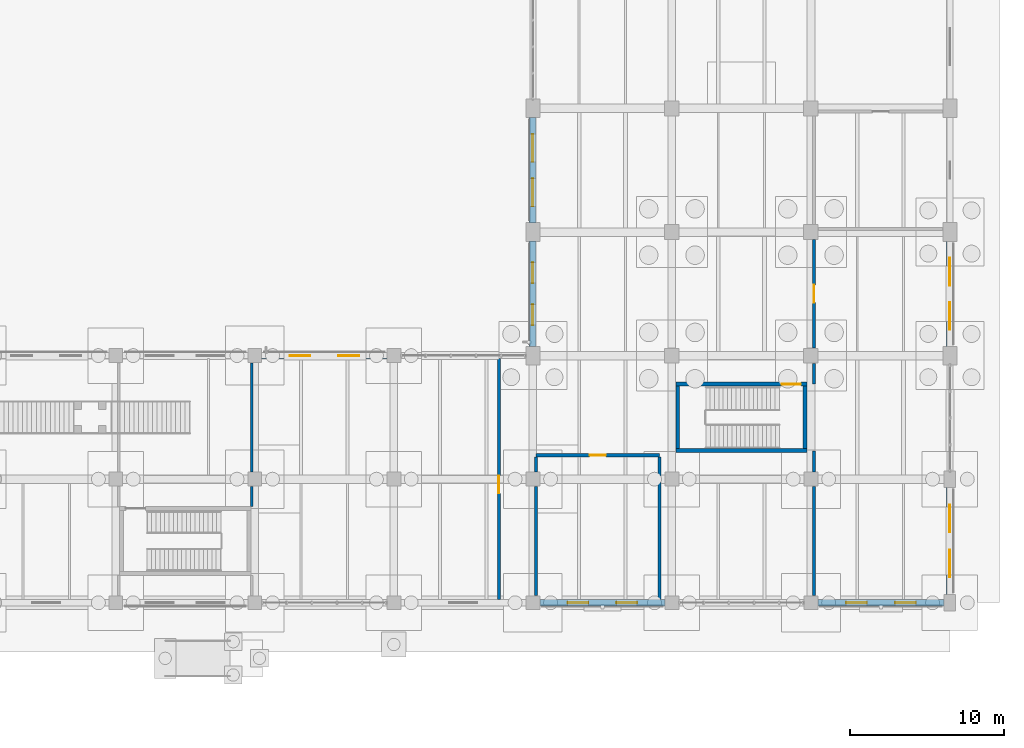
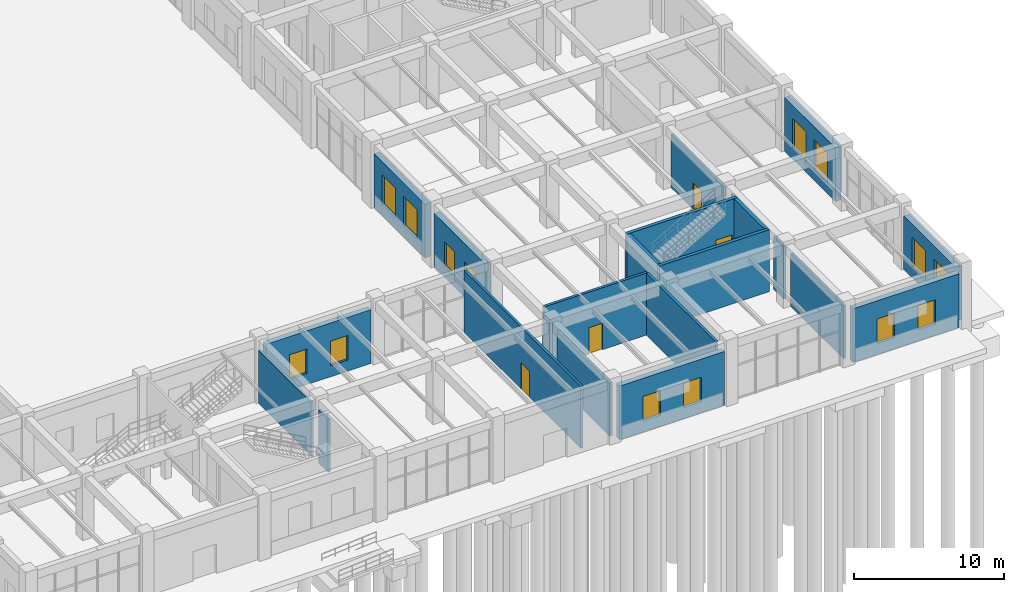
# One storey, part 97 of 121: 22 walls, 14 windows, 4 doors, 18 openings.
"""IFC4 building model written with IfcOpenShell, lengths in metres."""

from ifc_helpers import new_model, si_unit, derived_unit, direction, frame, frame_2d, origin, place, context, subcontext, project, spatial, rectangle, extrude, material, layer, layer_set, type_object, element, fill, save


model = new_model("IFC4")

# Units and contexts
model_context = context("Model", 3, precision=1e-05, world=origin(), true_north=direction((0.0, 1.0)))
body_context = subcontext(model_context, "Body", "Model", "MODEL_VIEW")
ifc_project = project(units=[si_unit("LENGTHUNIT", "METRE"), si_unit("AREAUNIT", "SQUARE_METRE"), si_unit("VOLUMEUNIT", "CUBIC_METRE"), si_unit("PLANEANGLEUNIT", "RADIAN"), si_unit("MASSUNIT", "GRAM", prefix="KILO"), derived_unit("THERMALTRANSMITTANCEUNIT", [(si_unit("MASSUNIT", "GRAM", prefix="KILO"), 1), (si_unit("TIMEUNIT", "SECOND"), -3), (si_unit("THERMODYNAMICTEMPERATUREUNIT", "KELVIN"), -1)])], contexts=[model_context])

# Site, building, storey
site_placement = place(None, origin())
site = spatial("IfcSite", under=ifc_project, at=site_placement, CompositionType="ELEMENT")
building_placement = place(site_placement, origin())
building = spatial("IfcBuilding", under=site, at=building_placement, Name="Zhenchuan Archway Interchange", CompositionType="ELEMENT")
storey_placement = place(building_placement, origin())
storey = spatial("IfcBuildingStorey", under=building, at=storey_placement, Name="L00", CompositionType="ELEMENT", Elevation=0.0)

# Wall, openings, windows
ifc_material_1 = material(Name="Granite Stone Cladding", Category="masonry")
ifc_layer_1 = layer(ifc_material_1, 0.419921875)
ifc_layer_set_1 = layer_set([ifc_layer_1], Name="Granite Stone Cladding")
wall_type_1 = type_object("IfcWallType", Name="EW_GRANITE_420", PredefinedType="STANDARD", material=ifc_layer_set_1)
wall_1_placement = place(storey_placement, frame((171.0, 31.402099609375, 0.0), z_axis=(0.0, 0.0, 1.0), x_axis=(0.0, -1.0, 0.0)))
wall_1 = element("IfcWall", 1, at=wall_1_placement, inside=storey, type_object=wall_type_1, Name="Exterior wall L00-074", PredefinedType="STANDARD", context=body_context, shape_type="SweptSolid", body=[
    extrude(rectangle(XDim=6.80419921875, YDim=0.419921875, at=frame_2d((3.402099609375, 0.0))), origin(), (0.0, 0.0, 1.0), 4.3798828125),
])
opening_1_placement = place(wall_1_placement, frame((1.068115234375, 0.0, 0.89990234375)))
opening_1 = element("IfcOpeningElement", 2, at=opening_1_placement, cuts=wall_1, Name="Opening W-03", PredefinedType="OPENING", context=body_context, shape_type="SweptSolid", body=[
    extrude(rectangle(XDim=1.800048828125, YDim=2.39990234375, at=frame_2d((0.89990234375, 1.199951171875))), frame((0.0, 0.221923828125, 0.0), z_axis=(0.0, -1.0, 0.0), x_axis=(1.0, 0.0, 0.0)), (0.0, 0.0, 1.0), 0.44384765625),
])
opening_2_placement = place(wall_1_placement, frame((3.93603515625, 0.0, 0.89990234375)))
opening_2 = element("IfcOpeningElement", 3, at=opening_2_placement, cuts=wall_1, Name="Opening W-03", PredefinedType="OPENING", context=body_context, shape_type="SweptSolid", body=[
    extrude(rectangle(XDim=1.800048828125, YDim=2.39990234375, at=frame_2d((0.89990234375, 1.199951171875))), frame((0.0, 0.221923828125, 0.0), z_axis=(0.0, -1.0, 0.0), x_axis=(1.0, 0.0, 0.0)), (0.0, 0.0, 1.0), 0.44384765625),
])
ifc_material_2 = material(Name="Double Low-E Insulated Glazing", Category="glass")
window_type_1 = type_object("IfcWindowType", Name="WN_PUNCH_1800x2400", PartitioningType="SINGLE_PANEL", PredefinedType="WINDOW", material=ifc_material_2)
window_1_placement = place(opening_1_placement, origin())
window_1 = element("IfcWindow", 4, at=window_1_placement, inside=storey, type_object=window_type_1, Name="Window L00-0055", OverallHeight=2.39990234375, OverallWidth=1.800048828125, PartitioningType="SINGLE_PANEL", PredefinedType="WINDOW", context=body_context, shape_type="SweptSolid", body=[
    extrude(rectangle(XDim=1.800048828125, YDim=2.39990234375, at=frame_2d((0.89990234375, 1.199951171875))), frame((0.0, 0.030029296875, 0.0), z_axis=(0.0, -1.0, 0.0), x_axis=(1.0, 0.0, 0.0)), (0.0, 0.0, 1.0), 0.06005859375),
])
fill(opening_1, window_1)
window_2_placement = place(opening_2_placement, origin())
window_2 = element("IfcWindow", 5, at=window_2_placement, inside=storey, type_object=window_type_1, Name="Window L00-0056", OverallHeight=2.39990234375, OverallWidth=1.800048828125, PartitioningType="SINGLE_PANEL", PredefinedType="WINDOW", context=body_context, shape_type="SweptSolid", body=[
    extrude(rectangle(XDim=1.800048828125, YDim=2.39990234375, at=frame_2d((0.89990234375, 1.199951171875))), frame((0.0, 0.030029296875, 0.0), z_axis=(0.0, -1.0, 0.0), x_axis=(1.0, 0.0, 0.0)), (0.0, 0.0, 1.0), 0.06005859375),
])
fill(opening_2, window_2)

wall_2_placement = place(storey_placement, frame((171.0, 15.47705078125, 0.0), z_axis=(0.0, 0.0, 1.0), x_axis=(0.0, -1.0, 0.0)))
wall_2 = element("IfcWall", 6, at=wall_2_placement, inside=storey, type_object=wall_type_1, Name="Exterior wall L00-076", PredefinedType="STANDARD", context=body_context, shape_type="SweptSolid", body=[
    extrude(rectangle(XDim=6.9541015625, YDim=0.419921875, at=frame_2d((3.47705078125, 0.0))), origin(), (0.0, 0.0, 1.0), 4.3798828125),
])
opening_3_placement = place(wall_2_placement, frame((1.117919921875, 0.0, 0.89990234375)))
opening_3 = element("IfcOpeningElement", 7, at=opening_3_placement, cuts=wall_2, Name="Opening W-03", PredefinedType="OPENING", context=body_context, shape_type="SweptSolid", body=[
    extrude(rectangle(XDim=1.800048828125, YDim=2.39990234375, at=frame_2d((0.89990234375, 1.199951171875))), frame((0.0, 0.221923828125, 0.0), z_axis=(0.0, -1.0, 0.0), x_axis=(1.0, 0.0, 0.0)), (0.0, 0.0, 1.0), 0.44384765625),
])
opening_4_placement = place(wall_2_placement, frame((4.035888671875, 0.0, 0.89990234375)))
opening_4 = element("IfcOpeningElement", 8, at=opening_4_placement, cuts=wall_2, Name="Opening W-03", PredefinedType="OPENING", context=body_context, shape_type="SweptSolid", body=[
    extrude(rectangle(XDim=1.800048828125, YDim=2.39990234375, at=frame_2d((0.89990234375, 1.199951171875))), frame((0.0, 0.221923828125, 0.0), z_axis=(0.0, -1.0, 0.0), x_axis=(1.0, 0.0, 0.0)), (0.0, 0.0, 1.0), 0.44384765625),
])
window_3_placement = place(opening_3_placement, origin())
window_3 = element("IfcWindow", 9, at=window_3_placement, inside=storey, type_object=window_type_1, Name="Window L00-0057", OverallHeight=2.39990234375, OverallWidth=1.800048828125, PartitioningType="SINGLE_PANEL", PredefinedType="WINDOW", context=body_context, shape_type="SweptSolid", body=[
    extrude(rectangle(XDim=1.800048828125, YDim=2.39990234375, at=frame_2d((0.89990234375, 1.199951171875))), frame((0.0, 0.030029296875, 0.0), z_axis=(0.0, -1.0, 0.0), x_axis=(1.0, 0.0, 0.0)), (0.0, 0.0, 1.0), 0.06005859375),
])
fill(opening_3, window_3)
window_4_placement = place(opening_4_placement, origin())
window_4 = element("IfcWindow", 10, at=window_4_placement, inside=storey, type_object=window_type_1, Name="Window L00-0058", OverallHeight=2.39990234375, OverallWidth=1.800048828125, PartitioningType="SINGLE_PANEL", PredefinedType="WINDOW", context=body_context, shape_type="SweptSolid", body=[
    extrude(rectangle(XDim=1.800048828125, YDim=2.39990234375, at=frame_2d((0.89990234375, 1.199951171875))), frame((0.0, 0.030029296875, 0.0), z_axis=(0.0, -1.0, 0.0), x_axis=(1.0, 0.0, 0.0)), (0.0, 0.0, 1.0), 0.06005859375),
])
fill(opening_4, window_4)

wall_3_placement = place(storey_placement, frame((170.626953125, 8.0, 0.0), z_axis=(0.0, 0.0, 1.0), x_axis=(-1.0, 0.0, 0.0)))
wall_3 = element("IfcWall", 11, at=wall_3_placement, inside=storey, type_object=wall_type_1, Name="Exterior wall L00-077", PredefinedType="STANDARD", context=body_context, shape_type="SweptSolid", body=[
    extrude(rectangle(XDim=8.178955078125, YDim=0.419921875, at=frame_2d((4.08935546875, 0.0))), origin(), (0.0, 0.0, 1.0), 4.3798828125),
])
opening_5_placement = place(wall_3_placement, frame((1.826416015625, 0.0, 0.89990234375)))
opening_5 = element("IfcOpeningElement", 12, at=opening_5_placement, cuts=wall_3, Name="Opening W-06", PredefinedType="OPENING", context=body_context, shape_type="SweptSolid", body=[
    extrude(rectangle(XDim=1.35009765625, YDim=2.0, at=frame_2d((0.675048828125, 1.0))), frame((0.0, 0.221923828125, 0.0), z_axis=(0.0, -1.0, 0.0), x_axis=(1.0, 0.0, 0.0)), (0.0, 0.0, 1.0), 0.44384765625),
])
opening_6_placement = place(wall_3_placement, frame((5.002685546875, 0.0, 0.89990234375)))
opening_6 = element("IfcOpeningElement", 13, at=opening_6_placement, cuts=wall_3, Name="Opening W-06", PredefinedType="OPENING", context=body_context, shape_type="SweptSolid", body=[
    extrude(rectangle(XDim=1.35009765625, YDim=2.0, at=frame_2d((0.675048828125, 1.0))), frame((0.0, 0.221923828125, 0.0), z_axis=(0.0, -1.0, 0.0), x_axis=(1.0, 0.0, 0.0)), (0.0, 0.0, 1.0), 0.44384765625),
])
window_type_2 = type_object("IfcWindowType", Name="WN_MOD_1350x2000", PartitioningType="SINGLE_PANEL", PredefinedType="WINDOW", material=ifc_material_2)
window_5_placement = place(opening_5_placement, origin())
window_5 = element("IfcWindow", 14, at=window_5_placement, inside=storey, type_object=window_type_2, Name="Window L00-0059", OverallHeight=2.0, OverallWidth=1.35009765625, PartitioningType="SINGLE_PANEL", PredefinedType="WINDOW", context=body_context, shape_type="SweptSolid", body=[
    extrude(rectangle(XDim=1.35009765625, YDim=2.0, at=frame_2d((0.675048828125, 1.0))), frame((0.0, 0.030029296875, 0.0), z_axis=(0.0, -1.0, 0.0), x_axis=(1.0, 0.0, 0.0)), (0.0, 0.0, 1.0), 0.06005859375),
])
fill(opening_5, window_5)
window_6_placement = place(opening_6_placement, origin())
window_6 = element("IfcWindow", 15, at=window_6_placement, inside=storey, type_object=window_type_2, Name="Window L00-0060", OverallHeight=2.0, OverallWidth=1.35009765625, PartitioningType="SINGLE_PANEL", PredefinedType="WINDOW", context=body_context, shape_type="SweptSolid", body=[
    extrude(rectangle(XDim=1.35009765625, YDim=2.0, at=frame_2d((0.675048828125, 1.0))), frame((0.0, 0.030029296875, 0.0), z_axis=(0.0, -1.0, 0.0), x_axis=(1.0, 0.0, 0.0)), (0.0, 0.0, 1.0), 0.06005859375),
])
fill(opening_6, window_6)

wall_4_placement = place(storey_placement, frame((152.552001953125, 8.0, 0.0), z_axis=(0.0, 0.0, 1.0), x_axis=(-1.0, 0.0, 0.0)))
wall_4 = element("IfcWall", 16, at=wall_4_placement, inside=storey, type_object=wall_type_1, Name="Exterior wall L00-079", PredefinedType="STANDARD", context=body_context, shape_type="SweptSolid", body=[
    extrude(rectangle(XDim=8.10400390625, YDim=0.419921875, at=frame_2d((4.052001953125, 0.0))), origin(), (0.0, 0.0, 1.0), 4.3798828125),
])
opening_7_placement = place(wall_4_placement, frame((1.80126953125, 0.0, 0.89990234375)))
opening_7 = element("IfcOpeningElement", 17, at=opening_7_placement, cuts=wall_4, Name="Opening W-06", PredefinedType="OPENING", context=body_context, shape_type="SweptSolid", body=[
    extrude(rectangle(XDim=1.35009765625, YDim=2.0, at=frame_2d((0.675048828125, 1.0))), frame((0.0, 0.221923828125, 0.0), z_axis=(0.0, -1.0, 0.0), x_axis=(1.0, 0.0, 0.0)), (0.0, 0.0, 1.0), 0.44384765625),
])
opening_8_placement = place(wall_4_placement, frame((4.95263671875, 0.0, 0.89990234375)))
opening_8 = element("IfcOpeningElement", 18, at=opening_8_placement, cuts=wall_4, Name="Opening W-06", PredefinedType="OPENING", context=body_context, shape_type="SweptSolid", body=[
    extrude(rectangle(XDim=1.35009765625, YDim=2.0, at=frame_2d((0.675048828125, 1.0))), frame((0.0, 0.221923828125, 0.0), z_axis=(0.0, -1.0, 0.0), x_axis=(1.0, 0.0, 0.0)), (0.0, 0.0, 1.0), 0.44384765625),
])
window_7_placement = place(opening_7_placement, origin())
window_7 = element("IfcWindow", 19, at=window_7_placement, inside=storey, type_object=window_type_2, Name="Window L00-0061", OverallHeight=2.0, OverallWidth=1.35009765625, PartitioningType="SINGLE_PANEL", PredefinedType="WINDOW", context=body_context, shape_type="SweptSolid", body=[
    extrude(rectangle(XDim=1.35009765625, YDim=2.0, at=frame_2d((0.675048828125, 1.0))), frame((0.0, 0.030029296875, 0.0), z_axis=(0.0, -1.0, 0.0), x_axis=(1.0, 0.0, 0.0)), (0.0, 0.0, 1.0), 0.06005859375),
])
fill(opening_7, window_7)
window_8_placement = place(opening_8_placement, origin())
window_8 = element("IfcWindow", 20, at=window_8_placement, inside=storey, type_object=window_type_2, Name="Window L00-0062", OverallHeight=2.0, OverallWidth=1.35009765625, PartitioningType="SINGLE_PANEL", PredefinedType="WINDOW", context=body_context, shape_type="SweptSolid", body=[
    extrude(rectangle(XDim=1.35009765625, YDim=2.0, at=frame_2d((0.675048828125, 1.0))), frame((0.0, 0.030029296875, 0.0), z_axis=(0.0, -1.0, 0.0), x_axis=(1.0, 0.0, 0.0)), (0.0, 0.0, 1.0), 0.06005859375),
])
fill(opening_8, window_8)

wall_5_placement = place(storey_placement, frame((126.447998046875, 24.0, 0.0), z_axis=(0.0, 0.0, 1.0), x_axis=(1.0, 0.0, 0.0)))
wall_5 = element("IfcWall", 21, at=wall_5_placement, inside=storey, type_object=wall_type_1, Name="Exterior wall L00-101", PredefinedType="STANDARD", context=body_context, shape_type="SweptSolid", body=[
    extrude(rectangle(XDim=8.10400390625, YDim=0.419921875, at=frame_2d((4.052001953125, 0.0))), origin(), (0.0, 0.0, 1.0), 4.3798828125),
])
opening_9_placement = place(wall_5_placement, frame((1.80126953125, 0.0, 0.89990234375)))
opening_9 = element("IfcOpeningElement", 22, at=opening_9_placement, cuts=wall_5, Name="Opening W-06", PredefinedType="OPENING", context=body_context, shape_type="SweptSolid", body=[
    extrude(rectangle(XDim=1.35009765625, YDim=2.0, at=frame_2d((0.675048828125, 1.0))), frame((0.0, 0.221923828125, 0.0), z_axis=(0.0, -1.0, 0.0), x_axis=(1.0, 0.0, 0.0)), (0.0, 0.0, 1.0), 0.44384765625),
])
opening_10_placement = place(wall_5_placement, frame((4.95263671875, 0.0, 0.89990234375)))
opening_10 = element("IfcOpeningElement", 23, at=opening_10_placement, cuts=wall_5, Name="Opening W-06", PredefinedType="OPENING", context=body_context, shape_type="SweptSolid", body=[
    extrude(rectangle(XDim=1.35009765625, YDim=2.0, at=frame_2d((0.675048828125, 1.0))), frame((0.0, 0.221923828125, 0.0), z_axis=(0.0, -1.0, 0.0), x_axis=(1.0, 0.0, 0.0)), (0.0, 0.0, 1.0), 0.44384765625),
])
window_9_placement = place(opening_9_placement, origin())
window_9 = element("IfcWindow", 24, at=window_9_placement, inside=storey, type_object=window_type_2, Name="Window L00-0078", OverallHeight=2.0, OverallWidth=1.35009765625, PartitioningType="SINGLE_PANEL", PredefinedType="WINDOW", context=body_context, shape_type="SweptSolid", body=[
    extrude(rectangle(XDim=1.35009765625, YDim=2.0, at=frame_2d((0.675048828125, 1.0))), frame((0.0, 0.030029296875, 0.0), z_axis=(0.0, -1.0, 0.0), x_axis=(1.0, 0.0, 0.0)), (0.0, 0.0, 1.0), 0.06005859375),
])
fill(opening_9, window_9)
window_10_placement = place(opening_10_placement, origin())
window_10 = element("IfcWindow", 25, at=window_10_placement, inside=storey, type_object=window_type_2, Name="Window L00-0079", OverallHeight=2.0, OverallWidth=1.35009765625, PartitioningType="SINGLE_PANEL", PredefinedType="WINDOW", context=body_context, shape_type="SweptSolid", body=[
    extrude(rectangle(XDim=1.35009765625, YDim=2.0, at=frame_2d((0.675048828125, 1.0))), frame((0.0, 0.030029296875, 0.0), z_axis=(0.0, -1.0, 0.0), x_axis=(1.0, 0.0, 0.0)), (0.0, 0.0, 1.0), 0.06005859375),
])
fill(opening_10, window_10)

wall_6_placement = place(storey_placement, frame((144.0, 24.597900390625, 0.0), z_axis=(0.0, 0.0, 1.0), x_axis=(0.0, 1.0, 0.0)))
wall_6 = element("IfcWall", 26, at=wall_6_placement, inside=storey, type_object=wall_type_1, Name="Exterior wall L00-103", PredefinedType="STANDARD", context=body_context, shape_type="SweptSolid", body=[
    extrude(rectangle(XDim=6.80419921875, YDim=0.419921875, at=frame_2d((3.402099609375, 0.0))), origin(), (0.0, 0.0, 1.0), 4.3798828125),
])
opening_11_placement = place(wall_6_placement, frame((1.367919921875, 0.0, 0.89990234375)))
opening_11 = element("IfcOpeningElement", 27, at=opening_11_placement, cuts=wall_6, Name="Opening W-06", PredefinedType="OPENING", context=body_context, shape_type="SweptSolid", body=[
    extrude(rectangle(XDim=1.35009765625, YDim=2.0, at=frame_2d((0.675048828125, 1.0))), frame((0.0, 0.221923828125, 0.0), z_axis=(0.0, -1.0, 0.0), x_axis=(1.0, 0.0, 0.0)), (0.0, 0.0, 1.0), 0.44384765625),
])
opening_12_placement = place(wall_6_placement, frame((4.0859375, 0.0, 0.89990234375)))
opening_12 = element("IfcOpeningElement", 28, at=opening_12_placement, cuts=wall_6, Name="Opening W-06", PredefinedType="OPENING", context=body_context, shape_type="SweptSolid", body=[
    extrude(rectangle(XDim=1.35009765625, YDim=2.0, at=frame_2d((0.675048828125, 1.0))), frame((0.0, 0.221923828125, 0.0), z_axis=(0.0, -1.0, 0.0), x_axis=(1.0, 0.0, 0.0)), (0.0, 0.0, 1.0), 0.44384765625),
])
window_11_placement = place(opening_11_placement, origin())
window_11 = element("IfcWindow", 29, at=window_11_placement, inside=storey, type_object=window_type_2, Name="Window L00-0080", OverallHeight=2.0, OverallWidth=1.35009765625, PartitioningType="SINGLE_PANEL", PredefinedType="WINDOW", context=body_context, shape_type="SweptSolid", body=[
    extrude(rectangle(XDim=1.35009765625, YDim=2.0, at=frame_2d((0.675048828125, 1.0))), frame((0.0, 0.030029296875, 0.0), z_axis=(0.0, -1.0, 0.0), x_axis=(1.0, 0.0, 0.0)), (0.0, 0.0, 1.0), 0.06005859375),
])
fill(opening_11, window_11)
window_12_placement = place(opening_12_placement, origin())
window_12 = element("IfcWindow", 30, at=window_12_placement, inside=storey, type_object=window_type_2, Name="Window L00-0081", OverallHeight=2.0, OverallWidth=1.35009765625, PartitioningType="SINGLE_PANEL", PredefinedType="WINDOW", context=body_context, shape_type="SweptSolid", body=[
    extrude(rectangle(XDim=1.35009765625, YDim=2.0, at=frame_2d((0.675048828125, 1.0))), frame((0.0, 0.030029296875, 0.0), z_axis=(0.0, -1.0, 0.0), x_axis=(1.0, 0.0, 0.0)), (0.0, 0.0, 1.0), 0.06005859375),
])
fill(opening_12, window_12)

wall_7_placement = place(storey_placement, frame((144.0, 32.597900390625, 0.0), z_axis=(0.0, 0.0, 1.0), x_axis=(0.0, 1.0, 0.0)))
wall_7 = element("IfcWall", 31, at=wall_7_placement, inside=storey, type_object=wall_type_1, Name="Exterior wall L00-104", PredefinedType="STANDARD", context=body_context, shape_type="SweptSolid", body=[
    extrude(rectangle(XDim=6.80419921875, YDim=0.419921875, at=frame_2d((3.402099609375, 0.0))), origin(), (0.0, 0.0, 1.0), 4.3798828125),
])
opening_13_placement = place(wall_7_placement, frame((1.068115234375, 0.0, 0.89990234375)))
opening_13 = element("IfcOpeningElement", 32, at=opening_13_placement, cuts=wall_7, Name="Opening W-03", PredefinedType="OPENING", context=body_context, shape_type="SweptSolid", body=[
    extrude(rectangle(XDim=1.800048828125, YDim=2.39990234375, at=frame_2d((0.89990234375, 1.199951171875))), frame((0.0, 0.221923828125, 0.0), z_axis=(0.0, -1.0, 0.0), x_axis=(1.0, 0.0, 0.0)), (0.0, 0.0, 1.0), 0.44384765625),
])
opening_14_placement = place(wall_7_placement, frame((3.93603515625, 0.0, 0.89990234375)))
opening_14 = element("IfcOpeningElement", 33, at=opening_14_placement, cuts=wall_7, Name="Opening W-03", PredefinedType="OPENING", context=body_context, shape_type="SweptSolid", body=[
    extrude(rectangle(XDim=1.800048828125, YDim=2.39990234375, at=frame_2d((0.89990234375, 1.199951171875))), frame((0.0, 0.221923828125, 0.0), z_axis=(0.0, -1.0, 0.0), x_axis=(1.0, 0.0, 0.0)), (0.0, 0.0, 1.0), 0.44384765625),
])
window_13_placement = place(opening_13_placement, origin())
window_13 = element("IfcWindow", 34, at=window_13_placement, inside=storey, type_object=window_type_1, Name="Window L00-0082", OverallHeight=2.39990234375, OverallWidth=1.800048828125, PartitioningType="SINGLE_PANEL", PredefinedType="WINDOW", context=body_context, shape_type="SweptSolid", body=[
    extrude(rectangle(XDim=1.800048828125, YDim=2.39990234375, at=frame_2d((0.89990234375, 1.199951171875))), frame((0.0, 0.030029296875, 0.0), z_axis=(0.0, -1.0, 0.0), x_axis=(1.0, 0.0, 0.0)), (0.0, 0.0, 1.0), 0.06005859375),
])
fill(opening_13, window_13)
window_14_placement = place(opening_14_placement, origin())
window_14 = element("IfcWindow", 35, at=window_14_placement, inside=storey, type_object=window_type_1, Name="Window L00-0083", OverallHeight=2.39990234375, OverallWidth=1.800048828125, PartitioningType="SINGLE_PANEL", PredefinedType="WINDOW", context=body_context, shape_type="SweptSolid", body=[
    extrude(rectangle(XDim=1.800048828125, YDim=2.39990234375, at=frame_2d((0.89990234375, 1.199951171875))), frame((0.0, 0.030029296875, 0.0), z_axis=(0.0, -1.0, 0.0), x_axis=(1.0, 0.0, 0.0)), (0.0, 0.0, 1.0), 0.06005859375),
])
fill(opening_14, window_14)

# Wall, opening, door
ifc_material_3 = material(Name="Autoclaved Aerated Concrete Block", Category="concrete")
ifc_layer_2 = layer(ifc_material_3, 0.199951171875)
ifc_layer_set_2 = layer_set([ifc_layer_2], Name="Autoclaved Aerated Concrete Block")
wall_type_2 = type_object("IfcWallType", Name="WL_FIRE_200", PredefinedType="STANDARD", material=ifc_layer_set_2)
wall_8_placement = place(storey_placement, frame((144.199951171875, 17.550048828125, 0.0), z_axis=(0.0, 0.0, 1.0), x_axis=(1.0, 0.0, 0.0)))
wall_8 = element("IfcWall", 36, at=wall_8_placement, inside=storey, type_object=wall_type_2, Name="High Voltage Switchgear Room N partition (L00)", PredefinedType="STANDARD", context=body_context, shape_type="SweptSolid", body=[
    extrude(rectangle(XDim=8.0, YDim=0.199951171875, at=frame_2d((4.0, 0.0))), origin(), (0.0, 0.0, 1.0), 5.050048828125),
])
opening_15_placement = place(wall_8_placement, frame((3.47509765625, 0.0, 0.0)))
opening_15 = element("IfcOpeningElement", 37, at=opening_15_placement, cuts=wall_8, Name="Opening FD-03", PredefinedType="OPENING", context=body_context, shape_type="SweptSolid", body=[
    extrude(rectangle(XDim=1.050048828125, YDim=2.14990234375, at=frame_2d((0.52490234375, 1.074951171875))), frame((0.0, 0.11181640625, 0.0), z_axis=(0.0, -1.0, 0.0), x_axis=(1.0, 0.0, 0.0)), (0.0, 0.0, 1.0), 0.223876953125),
])
ifc_material_4 = material(Name="Painted Galvanised Steel", Category="steel")
door_type_1 = type_object("IfcDoorType", Name="DR_PLANT_FD60_S", OperationType="NOTDEFINED", PredefinedType="DOOR", material=ifc_material_4)
door_1_placement = place(opening_15_placement, origin())
door_1 = element("IfcDoor", 38, at=door_1_placement, inside=storey, type_object=door_type_1, Name="High Voltage Switchgear Room door (L00)", OperationType="SINGLE_SWING_LEFT", OverallHeight=2.14990234375, OverallWidth=1.050048828125, PredefinedType="DOOR", context=body_context, shape_type="SweptSolid", body=[
    extrude(rectangle(XDim=1.050048828125, YDim=2.14990234375, at=frame_2d((0.52490234375, 1.074951171875))), frame((0.0, 0.02490234375, 0.0), z_axis=(0.0, -1.0, 0.0), x_axis=(1.0, 0.0, 0.0)), (0.0, 0.0, 1.0), 0.050048828125),
])
fill(opening_15, door_1)

# Walls
wall_9_placement = place(storey_placement, frame((144.199951171875, 8.47509765625, 0.0), z_axis=(0.0, 0.0, 1.0), x_axis=(0.0, 1.0, 0.0)))
element("IfcWall", 39, at=wall_9_placement, inside=storey, type_object=wall_type_2, Name="High Voltage Switchgear Room W partition (L00)", PredefinedType="STANDARD", context=body_context, shape_type="SweptSolid", body=[
    extrude(rectangle(XDim=7.0498046875, YDim=0.199951171875, at=frame_2d((3.52490234375, 0.0))), origin(), (0.0, 0.0, 1.0), 4.330078125),
])
wall_10_placement = place(storey_placement, frame((144.199951171875, 16.47509765625, 0.0), z_axis=(0.0, 0.0, 1.0), x_axis=(0.0, 1.0, 0.0)))
element("IfcWall", 40, at=wall_10_placement, inside=storey, type_object=wall_type_2, Name="High Voltage Switchgear Room W partition (L00)", PredefinedType="STANDARD", context=body_context, shape_type="SweptSolid", body=[
    extrude(rectangle(XDim=0.96484375, YDim=0.199951171875, at=frame_2d((0.482421875, 0.0))), origin(), (0.0, 0.0, 1.0), 4.330078125),
])
wall_11_placement = place(storey_placement, frame((152.199951171875, 8.219970703125, 0.0), z_axis=(0.0, 0.0, 1.0), x_axis=(0.0, 1.0, 0.0)))
element("IfcWall", 41, at=wall_11_placement, inside=storey, type_object=wall_type_2, Name="High Voltage Switchgear Room E partition (L00)", PredefinedType="STANDARD", context=body_context, shape_type="SweptSolid", body=[
    extrude(rectangle(XDim=9.219970703125, YDim=0.199951171875, at=frame_2d((4.60986328125, 0.0))), origin(), (0.0, 0.0, 1.0), 5.050048828125),
])
ifc_material_5 = material(Name="Concrete Block Masonry", Category="masonry")
ifc_layer_3 = layer(ifc_material_5, 0.179931640625)
ifc_layer_set_3 = layer_set([ifc_layer_3], Name="Concrete Block Masonry")
wall_type_3 = type_object("IfcWallType", Name="WL_PART_180", PredefinedType="STANDARD", material=ifc_layer_set_3)
wall_12_placement = place(storey_placement, frame((125.800048828125, 14.235107421875, 0.0), z_axis=(0.0, 0.0, 1.0), x_axis=(0.0, 1.0, 0.0)))
element("IfcWall", 42, at=wall_12_placement, inside=storey, type_object=wall_type_3, Name="Transit Police and Station Security Post W partition (L00)", PredefinedType="STANDARD", context=body_context, shape_type="SweptSolid", body=[
    extrude(rectangle(XDim=1.289794921875, YDim=0.179931640625, at=frame_2d((0.64501953125, 0.0))), origin(), (0.0, 0.0, 1.0), 4.330078125),
])
wall_13_placement = place(storey_placement, frame((125.800048828125, 16.47509765625, 0.0), z_axis=(0.0, 0.0, 1.0), x_axis=(0.0, 1.0, 0.0)))
element("IfcWall", 43, at=wall_13_placement, inside=storey, type_object=wall_type_3, Name="Transit Police and Station Security Post W partition (L00)", PredefinedType="STANDARD", context=body_context, shape_type="SweptSolid", body=[
    extrude(rectangle(XDim=7.0498046875, YDim=0.179931640625, at=frame_2d((3.52490234375, 0.0))), origin(), (0.0, 0.0, 1.0), 4.330078125),
])

# Wall, opening, door
wall_14_placement = place(storey_placement, frame((141.800048828125, 8.219970703125, 0.0), z_axis=(0.0, 0.0, 1.0), x_axis=(0.0, 1.0, 0.0)))
wall_14 = element("IfcWall", 44, at=wall_14_placement, inside=storey, type_object=wall_type_3, Name="Transit Police and Station Security Post E partition (L00)", PredefinedType="STANDARD", context=body_context, shape_type="SweptSolid", body=[
    extrude(rectangle(XDim=15.580078125, YDim=0.179931640625, at=frame_2d((7.7900390625, 0.0))), origin(), (0.0, 0.0, 1.0), 5.050048828125),
])
opening_16_placement = place(wall_14_placement, frame((6.853759765625, 0.0, 0.0)))
opening_16 = element("IfcOpeningElement", 45, at=opening_16_placement, cuts=wall_14, Name="Opening ID-06", PredefinedType="OPENING", context=body_context, shape_type="SweptSolid", body=[
    extrude(rectangle(XDim=1.14990234375, YDim=2.14990234375, at=frame_2d((0.574951171875, 1.074951171875))), frame((0.0, 0.10205078125, 0.0), z_axis=(0.0, -1.0, 0.0), x_axis=(1.0, 0.0, 0.0)), (0.0, 0.0, 1.0), 0.203857421875),
])
ifc_material_6 = material(Name="Hardwood Timber", Category="wood")
door_type_2 = type_object("IfcDoorType", Name="DR_CTRL_115", OperationType="NOTDEFINED", PredefinedType="DOOR", material=ifc_material_6)
door_2_placement = place(opening_16_placement, origin())
door_2 = element("IfcDoor", 46, at=door_2_placement, inside=storey, type_object=door_type_2, Name="Transit Police and Station Security Post door (L00)", OperationType="SINGLE_SWING_LEFT", OverallHeight=2.14990234375, OverallWidth=1.14990234375, PredefinedType="DOOR", context=body_context, shape_type="SweptSolid", body=[
    extrude(rectangle(XDim=1.14990234375, YDim=2.14990234375, at=frame_2d((0.574951171875, 1.074951171875))), frame((0.0, 0.02490234375, 0.0), z_axis=(0.0, -1.0, 0.0), x_axis=(1.0, 0.0, 0.0)), (0.0, 0.0, 1.0), 0.050048828125),
])
fill(opening_16, door_2)

# Walls
wall_15_placement = place(storey_placement, frame((162.199951171875, 8.47509765625, 0.0), z_axis=(0.0, 0.0, 1.0), x_axis=(0.0, 1.0, 0.0)))
element("IfcWall", 47, at=wall_15_placement, inside=storey, type_object=wall_type_3, Name="Bus Driver Sign-On and Dispatch Counter W partition (L00)", PredefinedType="STANDARD", context=body_context, shape_type="SweptSolid", body=[
    extrude(rectangle(XDim=7.0498046875, YDim=0.179931640625, at=frame_2d((3.52490234375, 0.0))), origin(), (0.0, 0.0, 1.0), 4.330078125),
])
wall_16_placement = place(storey_placement, frame((162.199951171875, 16.47509765625, 0.0), z_axis=(0.0, 0.0, 1.0), x_axis=(0.0, 1.0, 0.0)))
element("IfcWall", 48, at=wall_16_placement, inside=storey, type_object=wall_type_3, Name="Bus Driver Sign-On and Dispatch Counter W partition (L00)", PredefinedType="STANDARD", context=body_context, shape_type="SweptSolid", body=[
    extrude(rectangle(XDim=1.349853515625, YDim=0.179931640625, at=frame_2d((0.6748046875, 0.0))), origin(), (0.0, 0.0, 1.0), 4.330078125),
])
wall_17_placement = place(storey_placement, frame((162.199951171875, 22.175048828125, 0.0), z_axis=(0.0, 0.0, 1.0), x_axis=(0.0, 1.0, 0.0)))
element("IfcWall", 49, at=wall_17_placement, inside=storey, type_object=wall_type_3, Name="Bus Driver Sign-On and Dispatch Counter W partition (L00)", PredefinedType="STANDARD", context=body_context, shape_type="SweptSolid", body=[
    extrude(rectangle(XDim=1.324951171875, YDim=0.179931640625, at=frame_2d((0.66259765625, 0.0))), origin(), (0.0, 0.0, 1.0), 4.330078125),
])

# Wall, opening, door
wall_18_placement = place(storey_placement, frame((162.199951171875, 24.5, 0.0), z_axis=(0.0, 0.0, 1.0), x_axis=(0.0, 1.0, 0.0)))
wall_18 = element("IfcWall", 50, at=wall_18_placement, inside=storey, type_object=wall_type_3, Name="Bus Driver Sign-On and Dispatch Counter W partition (L00)", PredefinedType="STANDARD", context=body_context, shape_type="SweptSolid", body=[
    extrude(rectangle(XDim=7.0, YDim=0.179931640625, at=frame_2d((3.5, 0.0))), origin(), (0.0, 0.0, 1.0), 4.330078125),
])
opening_17_placement = place(wall_18_placement, frame((2.925048828125, 0.0, 0.0)))
opening_17 = element("IfcOpeningElement", 51, at=opening_17_placement, cuts=wall_18, Name="Opening ID-06", PredefinedType="OPENING", context=body_context, shape_type="SweptSolid", body=[
    extrude(rectangle(XDim=1.14990234375, YDim=2.14990234375, at=frame_2d((0.574951171875, 1.074951171875))), frame((0.0, 0.10205078125, 0.0), z_axis=(0.0, -1.0, 0.0), x_axis=(1.0, 0.0, 0.0)), (0.0, 0.0, 1.0), 0.203857421875),
])
door_3_placement = place(opening_17_placement, origin())
door_3 = element("IfcDoor", 52, at=door_3_placement, inside=storey, type_object=door_type_2, Name="Bus Driver Sign-On and Dispatch Counter door (L00)", OperationType="SINGLE_SWING_RIGHT", OverallHeight=2.14990234375, OverallWidth=1.14990234375, PredefinedType="DOOR", context=body_context, shape_type="SweptSolid", body=[
    extrude(rectangle(XDim=1.14990234375, YDim=2.14990234375, at=frame_2d((0.574951171875, 1.074951171875))), frame((0.0, 0.02490234375, 0.0), z_axis=(0.0, -1.0, 0.0), x_axis=(1.0, 0.0, 0.0)), (0.0, 0.0, 1.0), 0.050048828125),
])
fill(opening_17, door_3)

# Wall
ifc_material_7 = material(Name="Concrete C40", Category="concrete")
ifc_layer_4 = layer(ifc_material_7, 0.25)
ifc_layer_set_4 = layer_set([ifc_layer_4], Name="Concrete C40")
wall_type_4 = type_object("IfcWallType", Name="WL_STAIR_250", PredefinedType="SHEAR", material=ifc_layer_set_4)
wall_19_placement = place(storey_placement, frame((153.2548828125, 17.85009765625, 0.0), z_axis=(0.0, 0.0, 1.0), x_axis=(1.0, 0.0, 0.0)))
element("IfcWall", 53, at=wall_19_placement, inside=storey, type_object=wall_type_4, Name="Stair ST-O4 south wall (L00)", PredefinedType="SHEAR", context=body_context, shape_type="SweptSolid", body=[
    extrude(rectangle(XDim=8.490234375, YDim=0.25, at=frame_2d((4.2451171875, 0.0))), origin(), (0.0, 0.0, 1.0), 5.050048828125),
])

# Wall, opening, door
wall_20_placement = place(storey_placement, frame((161.7451171875, 22.14990234375, 0.0), z_axis=(0.0, 0.0, 1.0), x_axis=(-1.0, 0.0, 0.0)))
wall_20 = element("IfcWall", 54, at=wall_20_placement, inside=storey, type_object=wall_type_4, Name="Stair ST-O4 north wall (L00)", PredefinedType="SHEAR", context=body_context, shape_type="SweptSolid", body=[
    extrude(rectangle(XDim=8.490234375, YDim=0.25, at=frame_2d((4.2451171875, 0.0))), origin(), (0.0, 0.0, 1.0), 5.050048828125),
])
opening_18_placement = place(wall_20_placement, frame((0.39501953125, 0.0, 0.0)))
opening_18 = element("IfcOpeningElement", 55, at=opening_18_placement, cuts=wall_20, Name="Opening FD-01", PredefinedType="OPENING", context=body_context, shape_type="SweptSolid", body=[
    extrude(rectangle(XDim=1.25, YDim=2.14990234375, at=frame_2d((0.625, 1.074951171875))), frame((0.0, 0.136962890625, 0.0), z_axis=(0.0, -1.0, 0.0), x_axis=(1.0, 0.0, 0.0)), (0.0, 0.0, 1.0), 0.27392578125),
])
door_type_3 = type_object("IfcDoorType", Name="DR_STAIR_FD90", OperationType="NOTDEFINED", PredefinedType="DOOR", material=ifc_material_4)
door_4_placement = place(opening_18_placement, frame((1.25, 0.0, 0.0), z_axis=(0.0, 0.0, 1.0), x_axis=(-1.0, 0.0, 0.0)))
door_4 = element("IfcDoor", 56, at=door_4_placement, inside=storey, type_object=door_type_3, Name="Stair ST-O4 fire door (L00)", OperationType="SINGLE_SWING_RIGHT", OverallHeight=2.14990234375, OverallWidth=1.25, PredefinedType="DOOR", context=body_context, shape_type="SweptSolid", body=[
    extrude(rectangle(XDim=1.25, YDim=2.14990234375, at=frame_2d((0.625, 1.074951171875))), frame((0.0, 0.02490234375, 0.0), z_axis=(0.0, -1.0, 0.0), x_axis=(1.0, 0.0, 0.0)), (0.0, 0.0, 1.0), 0.050048828125),
])
fill(opening_18, door_4)

# Walls
for number, where, z_axis, x_axis, name in (
    (57, (153.3798828125, 22.02490234375, 0.0), (0.0, 0.0, 1.0), (0.0, -1.0, 0.0), "Stair ST-O4 west wall (L00)"),
    (58, (161.6201171875, 17.97509765625, 0.0), (0.0, 0.0, 1.0), (0.0, 1.0, 0.0), "Stair ST-O4 east wall (L00)"),
):
    element("IfcWall", number, at=place(storey_placement, frame(where, z_axis=z_axis, x_axis=x_axis)), inside=storey, type_object=wall_type_4, Name=name, PredefinedType="SHEAR", context=body_context, shape_type="SweptSolid", body=[
        extrude(rectangle(XDim=4.0498046875, YDim=0.25, at=frame_2d((2.02490234375, 0.0))), origin(), (0.0, 0.0, 1.0), 5.050048828125),
    ])

save(model, "model.ifc")
